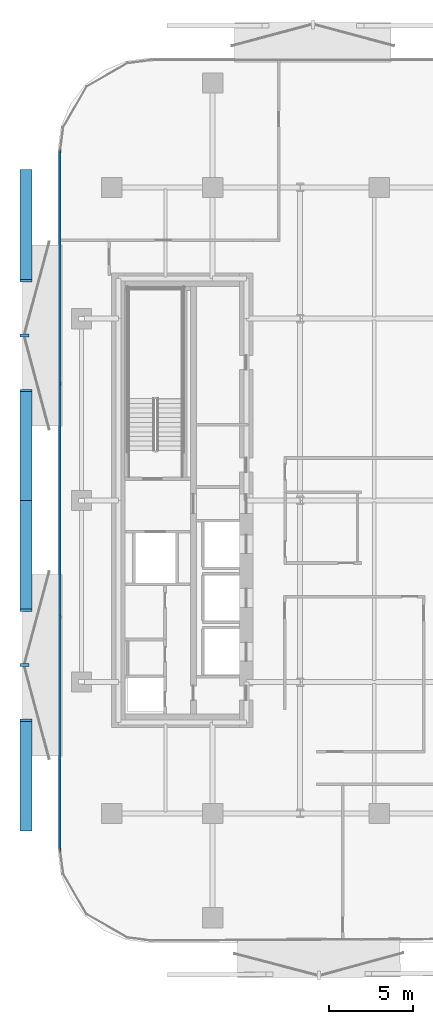
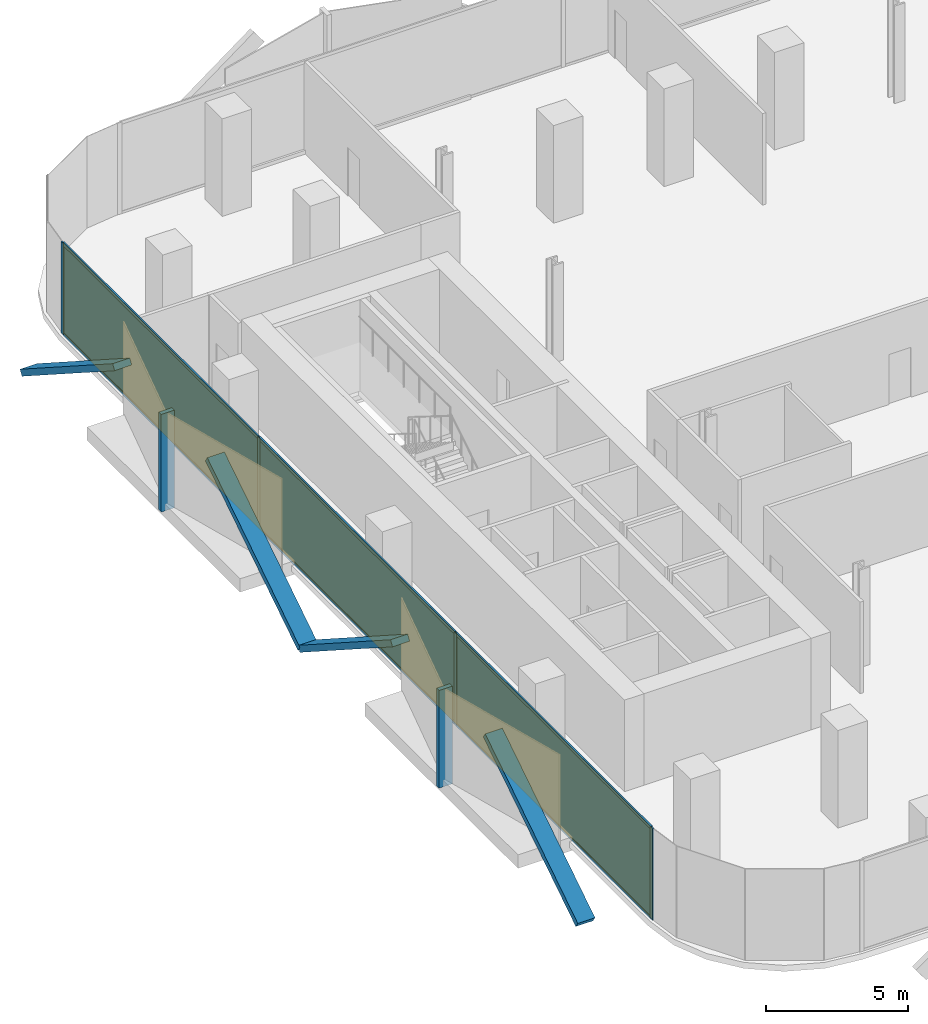
# One storey, part 8 of 15: 16 members, 3 plates, 1 curtain wall.
"""IFC4 building model written with IfcOpenShell, lengths in metres."""

from ifc_helpers import new_model, si_unit, direction, frame, frame_2d, origin, origin_2d, place, context, subcontext, project, spatial, rectangle, extrude, material, layer, layer_set, material_profile, profile_set, type_object, element, aggregate, save


model = new_model("IFC4")

# Units and contexts
model_context = context("Model", 3, precision=1e-05, world=origin(), true_north=direction((0.0, 1.0)))
body_context = subcontext(model_context, "Body", "Model", "MODEL_VIEW")
ifc_project = project(units=[si_unit("LENGTHUNIT", "METRE"), si_unit("AREAUNIT", "SQUARE_METRE"), si_unit("VOLUMEUNIT", "CUBIC_METRE"), si_unit("PLANEANGLEUNIT", "RADIAN"), si_unit("MASSUNIT", "GRAM", prefix="KILO")], contexts=[model_context])

# Member
ifc_material_1 = material(Name="Anodised Bronze Aluminium 6063-T6", Category="aluminium")
ifc_material_profile_1 = material_profile(ifc_material_1, rectangle(XDim=0.260009765625, YDim=0.699951171875, at=origin_2d()))
ifc_profile_set_1 = profile_set([ifc_material_profile_1], Name="Anodised Bronze Aluminium 6063-T6")
member_type_1 = type_object("IfcMemberType", Name="Bronze Diamond Solar-Screen Lattice Rib BDL-700", PredefinedType="MULLION", material=ifc_profile_set_1)
site_placement = place(None, origin())
building_placement = place(site_placement, origin())
storey_placement = place(building_placement, frame((0.0, 0.0, 131.0)))
member_1_placement = place(storey_placement, frame((-25.5, -19.5908203125, -0.1298828125), z_axis=(0.0, 0.841066075866, 0.540932395062), x_axis=(0.0, -0.540932395062, 0.841066075866)))
member_1 = element("IfcMember", 1, at=member_1_placement, type_object=member_type_1, Name="L30 Bronze Diamond Solar Screen Lattice Rib 187A", PredefinedType="MULLION", context=body_context, shape_type="SweptSolid", body=[
    extrude(rectangle(XDim=0.260009765625, YDim=0.699951171875, at=origin_2d()), origin(), (0.0, 0.0, 1.0), 7.76416015625),
])

member_2_placement = place(storey_placement, frame((-25.5, 0.0, -0.1298828125), z_axis=(0.0, -0.841066075866, 0.540932395062), x_axis=(0.0, 0.540932395062, 0.841066075866)))
member_2 = element("IfcMember", 2, at=member_2_placement, type_object=member_type_1, Name="L30 Bronze Diamond Solar Screen Lattice Rib 187B", PredefinedType="MULLION", context=body_context, shape_type="SweptSolid", body=[
    extrude(rectangle(XDim=0.260009765625, YDim=0.699951171875, at=origin_2d()), origin(), (0.0, 0.0, 1.0), 7.76416015625),
])

member_3_placement = place(storey_placement, frame((-25.5, 0.0, -0.1298828125), z_axis=(0.0, 0.841066075866, 0.540932395062), x_axis=(0.0, -0.540932395062, 0.841066075866)))
member_3 = element("IfcMember", 3, at=member_3_placement, type_object=member_type_1, Name="L30 Bronze Diamond Solar Screen Lattice Rib 188A", PredefinedType="MULLION", context=body_context, shape_type="SweptSolid", body=[
    extrude(rectangle(XDim=0.260009765625, YDim=0.699951171875, at=origin_2d()), origin(), (0.0, 0.0, 1.0), 7.76416015625),
])

member_4_placement = place(storey_placement, frame((-25.5, 19.5908203125, -0.1298828125), z_axis=(0.0, -0.841066075866, 0.540932395062), x_axis=(0.0, 0.540932395062, 0.841066075866)))
member_4 = element("IfcMember", 4, at=member_4_placement, type_object=member_type_1, Name="L30 Bronze Diamond Solar Screen Lattice Rib 188B", PredefinedType="MULLION", context=body_context, shape_type="SweptSolid", body=[
    extrude(rectangle(XDim=0.260009765625, YDim=0.699951171875, at=origin_2d()), origin(), (0.0, 0.0, 1.0), 7.76416015625),
])

ifc_material_2 = material(Name="Anodised Bronze Aluminium 6063-T6", Category="aluminium")
ifc_material_profile_2 = material_profile(ifc_material_2, rectangle(XDim=0.179931640625, YDim=0.5400390625, at=origin_2d()))
ifc_profile_set_2 = profile_set([ifc_material_profile_2], Name="Anodised Bronze Aluminium 6063-T6")
member_type_2 = type_object("IfcMemberType", Name="Bronze Solar-Screen Vertical Fold Fin BSF-540", PredefinedType="MULLION", material=ifc_profile_set_2)
member_5_placement = place(storey_placement, frame((-25.580078125, -9.79541015625, -0.1298828125), z_axis=(0.0, 0.0, 1.0), x_axis=(0.0, 1.0, 0.0)))
member_5 = element("IfcMember", 5, at=member_5_placement, type_object=member_type_2, Name="L30 Bronze Solar Screen Vertical Fin 187", PredefinedType="MULLION", context=body_context, shape_type="SweptSolid", body=[
    extrude(rectangle(XDim=0.179931640625, YDim=0.5400390625, at=origin_2d()), origin(), (0.0, 0.0, 1.0), 4.199951171875),
])

member_6_placement = place(storey_placement, frame((-25.580078125, 9.79541015625, -0.1298828125), z_axis=(0.0, 0.0, 1.0), x_axis=(0.0, 1.0, 0.0)))
member_6 = element("IfcMember", 6, at=member_6_placement, type_object=member_type_2, Name="L30 Bronze Solar Screen Vertical Fin 188", PredefinedType="MULLION", context=body_context, shape_type="SweptSolid", body=[
    extrude(rectangle(XDim=0.179931640625, YDim=0.5400390625, at=origin_2d()), origin(), (0.0, 0.0, 1.0), 4.199951171875),
])

ifc_material_3 = material(Name="Anodised Bronze Aluminium 6063-T6", Category="aluminium")
ifc_material_profile_3 = material_profile(ifc_material_3, rectangle(XDim=0.06494140625, YDim=0.175048828125, at=origin_2d()))
ifc_profile_set_3 = profile_set([ifc_material_profile_3], Name="Anodised Bronze Aluminium 6063-T6")
member_type_3 = type_object("IfcMemberType", Name="CW-Z2 Mullion 65x175", PredefinedType="MULLION", material=ifc_profile_set_3)
member_7_placement = place(storey_placement, frame((-23.4599609375, -20.75830078125, 0.0), z_axis=(0.0, 0.0, 1.0), x_axis=(-1.0, 0.0, 0.0)))
member_7 = element("IfcMember", 7, at=member_7_placement, type_object=member_type_3, Name="CW-Z2 mullion 1", PredefinedType="MULLION", context=body_context, shape_type="SweptSolid", body=[
    extrude(rectangle(XDim=0.06494140625, YDim=0.175048828125, at=origin_2d()), origin(), (0.0, 0.0, 1.0), 3.93994140625),
])

member_8_placement = place(storey_placement, frame((-23.4599609375, -6.93017578125, 0.0), z_axis=(0.0, 0.0, 1.0), x_axis=(-1.0, 0.0, 0.0)))
member_8 = element("IfcMember", 8, at=member_8_placement, type_object=member_type_3, Name="CW-Z2 mullion 2", PredefinedType="MULLION", context=body_context, shape_type="SweptSolid", body=[
    extrude(rectangle(XDim=0.06494140625, YDim=0.175048828125, at=origin_2d()), origin(), (0.0, 0.0, 1.0), 3.93994140625),
])

member_9_placement = place(storey_placement, frame((-23.4599609375, 6.93017578125, 0.0), z_axis=(0.0, 0.0, 1.0), x_axis=(-1.0, 0.0, 0.0)))
member_9 = element("IfcMember", 9, at=member_9_placement, type_object=member_type_3, Name="CW-Z2 mullion 3", PredefinedType="MULLION", context=body_context, shape_type="SweptSolid", body=[
    extrude(rectangle(XDim=0.06494140625, YDim=0.175048828125, at=origin_2d()), origin(), (0.0, 0.0, 1.0), 3.93994140625),
])

member_10_placement = place(storey_placement, frame((-23.4599609375, 20.75830078125, 0.0), z_axis=(0.0, 0.0, 1.0), x_axis=(-1.0, 0.0, 0.0)))
member_10 = element("IfcMember", 10, at=member_10_placement, type_object=member_type_3, Name="CW-Z2 mullion 4", PredefinedType="MULLION", context=body_context, shape_type="SweptSolid", body=[
    extrude(rectangle(XDim=0.06494140625, YDim=0.175048828125, at=origin_2d()), origin(), (0.0, 0.0, 1.0), 3.93994140625),
])

ifc_material_4 = material(Name="Anodised Bronze Aluminium 6063-T6", Category="aluminium")
ifc_material_profile_4 = material_profile(ifc_material_4, rectangle(XDim=0.06494140625, YDim=0.135009765625, at=origin_2d()))
ifc_profile_set_4 = profile_set([ifc_material_profile_4], Name="Anodised Bronze Aluminium 6063-T6")
member_type_4 = type_object("IfcMemberType", Name="CW-Z2 Transom 65x135", PredefinedType="USERDEFINED", material=ifc_profile_set_4)
member_11_placement = place(storey_placement, frame((-23.4599609375, -20.725830078125, 0.032470703125), z_axis=(0.0, 1.0, 0.0), x_axis=(-1.0, 0.0, 0.0)))
member_11 = element("IfcMember", 11, at=member_11_placement, type_object=member_type_4, Name="CW-Z2 transom 1.1", ObjectType="TRANSOM", PredefinedType="USERDEFINED", context=body_context, shape_type="SweptSolid", body=[
    extrude(rectangle(XDim=0.06494140625, YDim=0.135009765625, at=origin_2d()), origin(), (0.0, 0.0, 1.0), 13.76318359375),
])

member_12_placement = place(storey_placement, frame((-23.4599609375, -20.725830078125, 3.907470703125), z_axis=(0.0, 1.0, 0.0), x_axis=(-1.0, 0.0, 0.0)))
member_12 = element("IfcMember", 12, at=member_12_placement, type_object=member_type_4, Name="CW-Z2 transom 1.2", ObjectType="TRANSOM", PredefinedType="USERDEFINED", context=body_context, shape_type="SweptSolid", body=[
    extrude(rectangle(XDim=0.06494140625, YDim=0.135009765625, at=origin_2d()), origin(), (0.0, 0.0, 1.0), 13.76318359375),
])

member_13_placement = place(storey_placement, frame((-23.4599609375, -6.897705078125, 0.032470703125), z_axis=(0.0, 1.0, 0.0), x_axis=(-1.0, 0.0, 0.0)))
member_13 = element("IfcMember", 13, at=member_13_placement, type_object=member_type_4, Name="CW-Z2 transom 2.1", ObjectType="TRANSOM", PredefinedType="USERDEFINED", context=body_context, shape_type="SweptSolid", body=[
    extrude(rectangle(XDim=0.06494140625, YDim=0.135009765625, at=origin_2d()), origin(), (0.0, 0.0, 1.0), 13.79541015625),
])

member_14_placement = place(storey_placement, frame((-23.4599609375, -6.897705078125, 3.907470703125), z_axis=(0.0, 1.0, 0.0), x_axis=(-1.0, 0.0, 0.0)))
member_14 = element("IfcMember", 14, at=member_14_placement, type_object=member_type_4, Name="CW-Z2 transom 2.2", ObjectType="TRANSOM", PredefinedType="USERDEFINED", context=body_context, shape_type="SweptSolid", body=[
    extrude(rectangle(XDim=0.06494140625, YDim=0.135009765625, at=origin_2d()), origin(), (0.0, 0.0, 1.0), 13.79541015625),
])

member_15_placement = place(storey_placement, frame((-23.4599609375, 6.962646484375, 0.032470703125), z_axis=(0.0, 1.0, 0.0), x_axis=(-1.0, 0.0, 0.0)))
member_15 = element("IfcMember", 15, at=member_15_placement, type_object=member_type_4, Name="CW-Z2 transom 3.1", ObjectType="TRANSOM", PredefinedType="USERDEFINED", context=body_context, shape_type="SweptSolid", body=[
    extrude(rectangle(XDim=0.06494140625, YDim=0.135009765625, at=origin_2d()), origin(), (0.0, 0.0, 1.0), 13.76318359375),
])

member_16_placement = place(storey_placement, frame((-23.4599609375, 6.962646484375, 3.907470703125), z_axis=(0.0, 1.0, 0.0), x_axis=(-1.0, 0.0, 0.0)))
member_16 = element("IfcMember", 16, at=member_16_placement, type_object=member_type_4, Name="CW-Z2 transom 3.2", ObjectType="TRANSOM", PredefinedType="USERDEFINED", context=body_context, shape_type="SweptSolid", body=[
    extrude(rectangle(XDim=0.06494140625, YDim=0.135009765625, at=origin_2d()), origin(), (0.0, 0.0, 1.0), 13.76318359375),
])

# Plate
ifc_material_5 = material(Name="Low-E Solar Control Laminated Glass", Category="glass")
ifc_layer_1 = layer(ifc_material_5, 0.028076171875, Name="Low-E Solar Control Laminated Glass")
ifc_layer_set_1 = layer_set([ifc_layer_1], Name="Low-E Solar Control Laminated Glass")
plate_type = type_object("IfcPlateType", Name="CW-Z2 Low-E Double Glazed Panel 28mm", PredefinedType="CURTAIN_PANEL", material=ifc_layer_set_1)
plate_1_placement = place(storey_placement, frame((-23.4599609375, -13.84423828125, 0.06494140625), z_axis=(0.0, 0.0, 1.0), x_axis=(0.0, 1.0, 0.0)))
plate_1 = element("IfcPlate", 17, at=plate_1_placement, type_object=plate_type, Name="CW-Z2 panel 1.1", PredefinedType="CURTAIN_PANEL", context=body_context, shape_type="SweptSolid", body=[
    extrude(rectangle(XDim=13.762939453125, YDim=0.028076171875, at=origin_2d()), origin(), (0.0, 0.0, 1.0), 3.81005859375),
])

plate_2_placement = place(storey_placement, frame((-23.4599609375, 0.0, 0.06494140625), z_axis=(0.0, 0.0, 1.0), x_axis=(0.0, 1.0, 0.0)))
plate_2 = element("IfcPlate", 18, at=plate_2_placement, type_object=plate_type, Name="CW-Z2 panel 2.1", PredefinedType="CURTAIN_PANEL", context=body_context, shape_type="SweptSolid", body=[
    extrude(rectangle(XDim=13.795654296875, YDim=0.028076171875, at=origin_2d()), origin(), (0.0, 0.0, 1.0), 3.81005859375),
])

plate_3_placement = place(storey_placement, frame((-23.4599609375, 13.84423828125, 0.06494140625), z_axis=(0.0, 0.0, 1.0), x_axis=(0.0, 1.0, 0.0)))
plate_3 = element("IfcPlate", 19, at=plate_3_placement, type_object=plate_type, Name="CW-Z2 panel 3.1", PredefinedType="CURTAIN_PANEL", context=body_context, shape_type="SweptSolid", body=[
    extrude(rectangle(XDim=13.762939453125, YDim=0.028076171875, at=origin_2d()), origin(), (0.0, 0.0, 1.0), 3.81005859375),
])

# Site, building, storey
site = spatial("IfcSite", under=ifc_project, at=site_placement, CompositionType="ELEMENT")
building = spatial("IfcBuilding", under=site, at=building_placement, Name="Khairoan Windgate Tower", CompositionType="ELEMENT")
storey = spatial("IfcBuildingStorey", under=building, at=storey_placement, Name="L30", CompositionType="ELEMENT", Elevation=131.0)

# Curtain wall
ifc_material_6 = material(Name="Anodised Bronze Aluminium 6063-T6", Category="aluminium")
ifc_layer_2 = layer(ifc_material_6, 0.175048828125, Name="Anodised Bronze Aluminium 6063-T6")
ifc_layer_set_2 = layer_set([ifc_layer_2], Name="Anodised Bronze Aluminium 6063-T6")
curtain_wall_type = type_object("IfcCurtainWallType", Name="Mid-Rise Office Unitised Curtain Wall CW-Z2", PredefinedType="NOTDEFINED", material=ifc_layer_set_2)
curtain_wall_placement = place(storey_placement, frame((-23.4599609375, -20.790771484375, 0.0), z_axis=(0.0, 0.0, 1.0), x_axis=(0.0, 1.0, 0.0)))
curtain_wall = element("IfcCurtainWall", 20, at=curtain_wall_placement, inside=storey, type_object=curtain_wall_type, Name="L30 Unitised Curtain Wall 6", PredefinedType="NOTDEFINED", context=body_context, shape_type="SweptSolid", body=[
    extrude(rectangle(XDim=41.58154296875, YDim=0.010009765625, at=frame_2d((20.790771484375, 0.0))), origin(), (0.0, 0.0, 1.0), 3.93994140625),
])

aggregate(curtain_wall, [member_7, member_8, member_9, member_10, member_11, member_12, plate_1, member_13, member_14, plate_2, member_15, member_16, plate_3, member_1, member_2, member_5, member_3, member_4, member_6])

save(model, "model.ifc")
